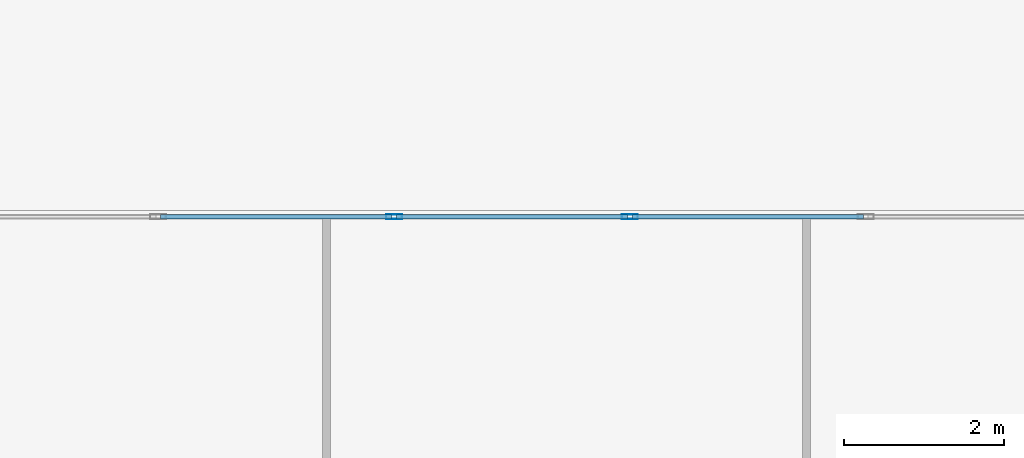
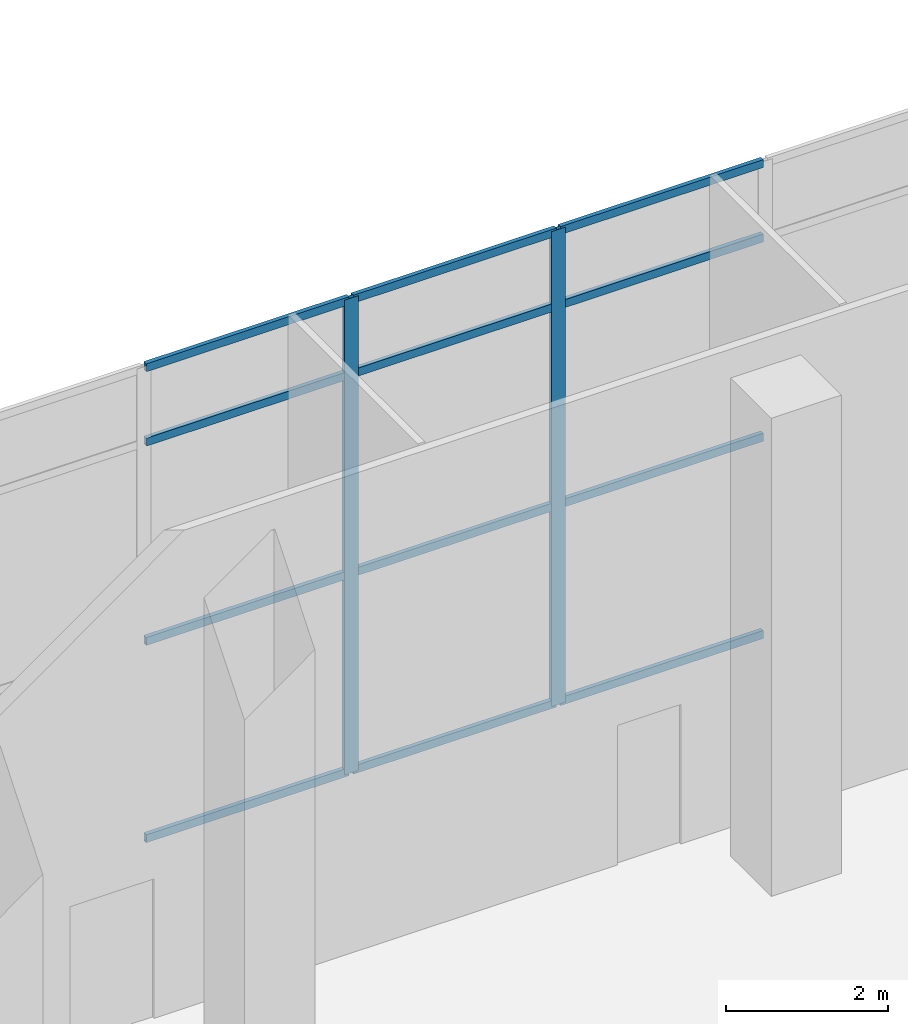
# One storey, part 28 of 52: 14 members, 1 element without a shape of its own.
"""IFC4 building model written with IfcOpenShell, lengths in metres."""

import ifcopenshell
import ifcopenshell.guid

model = None  # the IFC model being written
_history = None  # IfcOwnerHistory: only IFC2X3 demands one
_inside = {}  # id of a spatial element -> (the spatial element, [elements in it])
_under = {}  # id of a project, library or spatial element -> (it, [spatial elements below it])
_declared = {}  # id of a project -> (the project, [libraries it declares])
_typed = {}  # id of a type object -> (the type object, [elements of that type])
_made_of = {}  # id of a material, layer set ... -> (it, [elements and type objects made of it])


def new_model(schema):
    """Start an empty IFC model of exactly this schema.

    Asked for "IFC4X3", IfcOpenShell would pick the latest addendum, in which some entities
    have other attributes; the version numbers below select the first issue.
    IFC2X3 requires an IfcOwnerHistory on every rooted entity: one is made here for all.
    """
    global model, _history
    if schema == "IFC4X3":
        model = ifcopenshell.file(schema_version=(4, 3, 0, 0))
    else:
        model = ifcopenshell.file(schema=schema)
    _inside.clear()
    _under.clear()
    _declared.clear()
    _typed.clear()
    _made_of.clear()
    _history = None
    if model.schema == "IFC2X3":
        org = make("IfcOrganization", Name="unknown")
        user = make(
            "IfcPersonAndOrganization",
            ThePerson=make("IfcPerson", FamilyName="unknown"),
            TheOrganization=org,
        )
        app = make(
            "IfcApplication",
            ApplicationDeveloper=org,
            Version="unknown",
            ApplicationFullName="unknown",
            ApplicationIdentifier="unknown",
        )
        _history = make(
            "IfcOwnerHistory",
            OwningUser=user,
            OwningApplication=app,
            ChangeAction="ADDED",
            CreationDate=0,
        )
    return model


def make(cls, **values):
    """One entity of the class cls with the attributes given. An attribute that is None is left unset."""
    return model.create_entity(
        cls, **{name: value for name, value in values.items() if value is not None}
    )


def rooted(cls, **values):
    """An entity with a GlobalId (a new one), such as an element, a storey or a relation."""
    return make(cls, GlobalId=ifcopenshell.guid.new(), OwnerHistory=_history, **values)


def si_unit(unit_type, name, prefix=None):
    """IfcSIUnit, for example si_unit("LENGTHUNIT", "METRE", prefix="MILLI")."""
    return make("IfcSIUnit", UnitType=unit_type, Prefix=prefix, Name=name)


def assignment(units):
    """IfcUnitAssignment: the units of a project."""
    return None if units is None else make("IfcUnitAssignment", Units=units)


def point(xyz):
    """IfcCartesianPoint."""
    return None if xyz is None else make("IfcCartesianPoint", Coordinates=xyz)


def direction(xyz):
    """IfcDirection."""
    return None if xyz is None else make("IfcDirection", DirectionRatios=xyz)


def frame(location, z_axis=None, x_axis=None):
    """IfcAxis2Placement3D, a coordinate frame: its origin and axes. An axis left out is left unset."""
    return make(
        "IfcAxis2Placement3D",
        Location=point(location),
        Axis=direction(z_axis),
        RefDirection=direction(x_axis),
    )


def frame_2d(location, x_axis=None):
    """IfcAxis2Placement2D, a coordinate frame in the plane: its origin and x axis."""
    return make(
        "IfcAxis2Placement2D", Location=point(location), RefDirection=direction(x_axis)
    )


def origin():
    """The frame at (0, 0, 0) with its axes left unset."""
    return frame((0.0, 0.0, 0.0))


def origin_2d():
    """The frame at (0, 0) in the plane with its x axis left unset."""
    return frame_2d((0.0, 0.0))


def place(relative_to, where):
    """IfcLocalPlacement: puts the frame where relative to a parent placement (None: the world)."""
    return make(
        "IfcLocalPlacement", PlacementRelTo=relative_to, RelativePlacement=where
    )


def context(
    kind, dimensions, precision=None, world=None, true_north=None, identifier=None
):
    """IfcGeometricRepresentationContext, for example the 3D "Model" context."""
    return make(
        "IfcGeometricRepresentationContext",
        ContextIdentifier=identifier,
        ContextType=kind,
        CoordinateSpaceDimension=dimensions,
        Precision=precision,
        WorldCoordinateSystem=world,
        TrueNorth=true_north,
    )


def subcontext(parent, identifier, kind, view, scale=None):
    """IfcGeometricRepresentationSubContext, for example "Body" below "Model"."""
    return make(
        "IfcGeometricRepresentationSubContext",
        ContextIdentifier=identifier,
        ContextType=kind,
        ParentContext=parent,
        TargetScale=scale,
        TargetView=view,
    )


def project(units=None, contexts=None):
    """IfcProject with its units and contexts."""
    return rooted(
        "IfcProject",
        Name="project",
        RepresentationContexts=contexts,
        UnitsInContext=assignment(units),
    )


def spatial(cls, under=None, at=None, **own):
    """A site, building, storey or space (cls), placed at a placement, below another one or the project."""
    s = rooted(cls, ObjectPlacement=at, **own)
    if under is not None:
        _under.setdefault(under.id(), (under, []))[1].append(s)
    return s


def profile(cls, at=None, kind="AREA", **sizes):
    """A parametric profile (cls). Its sizes go by their IFC names, for example OverallWidth=200.0."""
    return make(cls, ProfileType=kind, Position=at, **sizes)


def hollow_rectangle(**sizes):
    """IfcRectangleHollowProfileDef."""
    return profile("IfcRectangleHollowProfileDef", **sizes)


def extrude(swept, where, along, depth):
    """IfcExtrudedAreaSolid: the profile swept, set in the frame where, extruded along a direction by depth."""
    return make(
        "IfcExtrudedAreaSolid",
        SweptArea=swept,
        Position=where,
        ExtrudedDirection=direction(along),
        Depth=depth,
    )


def shape(context_of_items, identifier, shape_type, items):
    """IfcShapeRepresentation: the items that make up one representation, for example the "Body"."""
    return make(
        "IfcShapeRepresentation",
        ContextOfItems=context_of_items,
        RepresentationIdentifier=identifier,
        RepresentationType=shape_type,
        Items=items,
    )


def source(mapping_origin, context_of_items, identifier, shape_type, items):
    """IfcRepresentationMap: a shape defined once, which mapped items show again and again."""
    return make(
        "IfcRepresentationMap",
        MappingOrigin=mapping_origin,
        MappedRepresentation=shape(context_of_items, identifier, shape_type, items),
    )


def transform(
    local_origin,
    x_axis=None,
    y_axis=None,
    z_axis=None,
    scale=None,
    scale2=None,
    scale3=None,
    uniform=True,
):
    """IfcCartesianTransformationOperator3D, or its non-uniform kind. x_axis, y_axis, z_axis: its Axis1, 2, 3."""
    if uniform:
        return make(
            "IfcCartesianTransformationOperator3D",
            Axis1=direction(x_axis),
            Axis2=direction(y_axis),
            LocalOrigin=point(local_origin),
            Scale=scale,
            Axis3=direction(z_axis),
        )
    return make(
        "IfcCartesianTransformationOperator3DnonUniform",
        Axis1=direction(x_axis),
        Axis2=direction(y_axis),
        LocalOrigin=point(local_origin),
        Scale=scale,
        Axis3=direction(z_axis),
        Scale2=scale2,
        Scale3=scale3,
    )


def mapped(mapping_source, mapping_target):
    """IfcMappedItem: shows the shape of a source again, moved by a transform."""
    return make(
        "IfcMappedItem", MappingSource=mapping_source, MappingTarget=mapping_target
    )


def material(Name=None, Category=None):
    """IfcMaterial."""
    return make("IfcMaterial", Name=Name, Category=Category)


def material_profile(
    of_material, cross_section, Name=None, Category=None, Priority=None
):
    """IfcMaterialProfile: a cross section and its material."""
    return make(
        "IfcMaterialProfile",
        Name=Name,
        Material=of_material,
        Profile=cross_section,
        Priority=Priority,
        Category=Category,
    )


def profile_set(profiles, Name=None, composite=None):
    """IfcMaterialProfileSet."""
    return make(
        "IfcMaterialProfileSet",
        Name=Name,
        MaterialProfiles=profiles,
        CompositeProfile=composite,
    )


def made_of(thing, what):
    """Note that an element or type object is made of a material, layer set ...; save() writes the relation."""
    if what is not None:
        _made_of.setdefault(what.id(), (what, []))[1].append(thing)
    return thing


def type_object(cls, material=None, **own):
    """A type object (cls), such as IfcWallType, which elements share."""
    return made_of(rooted(cls, **own), material)


def element(
    cls,
    number,
    at=None,
    inside=None,
    cuts=None,
    type_object=None,
    material=None,
    context=None,
    identifier="Body",
    shape_type=None,
    held_by="IfcProductDefinitionShape",
    body=None,
    shapes=None,
    **own,
):
    """One element of the class cls, such as IfcWall. Its Tag is "e" and its number.

    at: its placement. inside: the storey or other place that contains it. cuts: it is an
    opening in that element (IfcRelVoidsElement). A single representation is given by context,
    identifier, shape_type and body (its items); several are given by shapes. held_by: the class
    of the entity that holds the representations. save() writes the other relations.
    """
    e = rooted(cls, Tag="e%d" % number, ObjectPlacement=at, **own)
    if body is not None:
        shapes = [shape(context, identifier, shape_type, body)]
    if shapes is not None:
        e.Representation = make(held_by, Representations=shapes)
    if inside is not None:
        _inside.setdefault(inside.id(), (inside, []))[1].append(e)
    if cuts is not None:
        rooted(
            "IfcRelVoidsElement", RelatingBuildingElement=cuts, RelatedOpeningElement=e
        )
    if type_object is not None:
        _typed.setdefault(type_object.id(), (type_object, []))[1].append(e)
    return made_of(e, material)


def aggregate(whole, parts):
    """IfcRelAggregates: a whole, such as a stair, and the parts it consists of."""
    return rooted("IfcRelAggregates", RelatingObject=whole, RelatedObjects=parts)


def save(model, path):
    """Write the relations noted so far, then the file.

    IfcRelAggregates (storeys below a building ...), IfcRelContainedInSpatialStructure (elements
    in a storey), IfcRelDefinesByType, IfcRelAssociatesMaterial and IfcRelDeclares: one each for
    every whole, place, type object, material and project.
    """
    for whole, parts in _under.values():
        aggregate(whole, parts)
    for where, things in _inside.values():
        rooted(
            "IfcRelContainedInSpatialStructure",
            RelatedElements=things,
            RelatingStructure=where,
        )
    for kind, things in _typed.values():
        rooted("IfcRelDefinesByType", RelatedObjects=things, RelatingType=kind)
    for what, things in _made_of.values():
        rooted("IfcRelAssociatesMaterial", RelatedObjects=things, RelatingMaterial=what)
    for by, libraries in _declared.values():
        rooted("IfcRelDeclares", RelatingContext=by, RelatedDefinitions=libraries)
    model.write(path)


model = new_model("IFC4")

# Units and contexts
model_context = context("Model", 3, precision=1e-05, world=origin(), true_north=direction((0.0, 1.0)))
body_context = subcontext(model_context, "Body", "Model", "MODEL_VIEW")
ifc_project = project(units=[si_unit("LENGTHUNIT", "METRE"), si_unit("AREAUNIT", "SQUARE_METRE"), si_unit("VOLUMEUNIT", "CUBIC_METRE"), si_unit("PLANEANGLEUNIT", "RADIAN"), si_unit("MASSUNIT", "GRAM", prefix="KILO")], contexts=[model_context])

# Site, building, storey
site_placement = place(None, origin())
site = spatial("IfcSite", under=ifc_project, at=site_placement, CompositionType="ELEMENT")
building_placement = place(site_placement, origin())
building = spatial("IfcBuilding", under=site, at=building_placement, Name="Khomas Fold Tower", CompositionType="ELEMENT")
storey_placement = place(building_placement, origin())
storey = spatial("IfcBuildingStorey", under=building, at=storey_placement, Name="L00", CompositionType="ELEMENT", Elevation=0.0)

# Curtain wall, members
ifc_material_1 = material(Name="Aluminium framed double glazing", Category="aluminium")
curtain_wall_type = type_object("IfcCurtainWallType", Name="Shopfront glazing PD-CW", PredefinedType="NOTDEFINED", material=ifc_material_1)
curtain_wall_placement = place(storey_placement, origin())
curtain_wall = element("IfcCurtainWall", 1, at=curtain_wall_placement, inside=storey, type_object=curtain_wall_type, Name="Podium shopfront run", PredefinedType="NOTDEFINED")
ifc_material_2 = material(Name="Aluminium", Category="aluminium")
ifc_material_profile_1 = material_profile(ifc_material_2, hollow_rectangle(XDim=0.06005859375, YDim=0.199951171875, WallThickness=0.00390625, at=origin_2d()), Name="Shopfront glazing mullion PD-CW-M")
ifc_profile_set_1 = profile_set([ifc_material_profile_1], Name="Aluminium")
member_type_1 = type_object("IfcMemberType", Name="Shopfront glazing mullion PD-CW-M", PredefinedType="MULLION", material=ifc_profile_set_1)
shared_shape_1 = source(origin(), body_context, "Body", "SweptSolid", [
    extrude(hollow_rectangle(XDim=0.06005859375, YDim=0.199951171875, WallThickness=0.00390625, at=origin_2d()), origin(), (0.0, 0.0, 1.0), 7.14990234375),
])
member_1_placement = place(storey_placement, frame((63.792236328125, 53.919921875, 0.0), z_axis=(0.0, 0.0, 1.0), x_axis=(0.0, -1.0, 0.0)))
member_1 = element("IfcMember", 2, at=member_1_placement, type_object=member_type_1, Name="PD-CW mullion 3", PredefinedType="MULLION", context=body_context, shape_type="MappedRepresentation", body=[
    mapped(shared_shape_1, transform((0.0, 0.0, 0.0))),
])
member_2_placement = place(storey_placement, frame((60.84326171875, 53.919921875, 0.0), z_axis=(0.0, 0.0, 1.0), x_axis=(0.0, -1.0, 0.0)))
member_2 = element("IfcMember", 3, at=member_2_placement, type_object=member_type_1, Name="PD-CW mullion 4", PredefinedType="MULLION", context=body_context, shape_type="MappedRepresentation", body=[
    mapped(shared_shape_1, transform((0.0, 0.0, 0.0))),
])
ifc_material_3 = material(Name="Aluminium", Category="aluminium")
ifc_material_profile_2 = material_profile(ifc_material_3, hollow_rectangle(XDim=0.06005859375, YDim=0.1201171875, WallThickness=0.00390625, at=origin_2d()), Name="Shopfront glazing transom PD-CW-T")
ifc_profile_set_2 = profile_set([ifc_material_profile_2], Name="Aluminium")
member_type_2 = type_object("IfcMemberType", Name="Shopfront glazing transom PD-CW-T", PredefinedType="USERDEFINED", material=ifc_profile_set_2)
shared_shape_2 = source(origin(), body_context, "Body", "SweptSolid", [
    extrude(hollow_rectangle(XDim=0.06005859375, YDim=0.1201171875, WallThickness=0.00390625, at=origin_2d()), origin(), (0.0, 0.0, 1.0), 2.888916015625),
])
member_3_placement = place(storey_placement, frame((66.711181640625, 53.919921875, 0.030029296875), z_axis=(-1.0, 0.0, 0.0), x_axis=(0.0, -1.0, 0.0)))
member_3 = element("IfcMember", 4, at=member_3_placement, type_object=member_type_2, Name="PD-CW transom 2.1", ObjectType="TRANSOM", PredefinedType="USERDEFINED", context=body_context, shape_type="MappedRepresentation", body=[
    mapped(shared_shape_2, transform((0.0, 0.0, 0.0))),
])
member_4_placement = place(storey_placement, frame((66.711181640625, 53.919921875, 3.0), z_axis=(-1.0, 0.0, 0.0), x_axis=(0.0, -1.0, 0.0)))
member_4 = element("IfcMember", 5, at=member_4_placement, type_object=member_type_2, Name="PD-CW transom 2.2", ObjectType="TRANSOM", PredefinedType="USERDEFINED", context=body_context, shape_type="MappedRepresentation", body=[
    mapped(shared_shape_2, transform((0.0, 0.0, 0.0))),
])
member_5_placement = place(storey_placement, frame((66.711181640625, 53.919921875, 6.0), z_axis=(-1.0, 0.0, 0.0), x_axis=(0.0, -1.0, 0.0)))
member_5 = element("IfcMember", 6, at=member_5_placement, type_object=member_type_2, Name="PD-CW transom 2.3", ObjectType="TRANSOM", PredefinedType="USERDEFINED", context=body_context, shape_type="MappedRepresentation", body=[
    mapped(shared_shape_2, transform((0.0, 0.0, 0.0))),
])
member_6_placement = place(storey_placement, frame((66.711181640625, 53.919921875, 7.1201171875), z_axis=(-1.0, 0.0, 0.0), x_axis=(0.0, -1.0, 0.0)))
member_6 = element("IfcMember", 7, at=member_6_placement, type_object=member_type_2, Name="PD-CW transom 2.4", ObjectType="TRANSOM", PredefinedType="USERDEFINED", context=body_context, shape_type="MappedRepresentation", body=[
    mapped(shared_shape_2, transform((0.0, 0.0, 0.0))),
])
member_7_placement = place(storey_placement, frame((63.76220703125, 53.919921875, 0.030029296875), z_axis=(-1.0, 0.0, 0.0), x_axis=(0.0, -1.0, 0.0)))
member_7 = element("IfcMember", 8, at=member_7_placement, type_object=member_type_2, Name="PD-CW transom 3.1", ObjectType="TRANSOM", PredefinedType="USERDEFINED", context=body_context, shape_type="MappedRepresentation", body=[
    mapped(shared_shape_2, transform((0.0, 0.0, 0.0))),
])
member_8_placement = place(storey_placement, frame((63.76220703125, 53.919921875, 3.0), z_axis=(-1.0, 0.0, 0.0), x_axis=(0.0, -1.0, 0.0)))
member_8 = element("IfcMember", 9, at=member_8_placement, type_object=member_type_2, Name="PD-CW transom 3.2", ObjectType="TRANSOM", PredefinedType="USERDEFINED", context=body_context, shape_type="MappedRepresentation", body=[
    mapped(shared_shape_2, transform((0.0, 0.0, 0.0))),
])
member_9_placement = place(storey_placement, frame((63.76220703125, 53.919921875, 6.0), z_axis=(-1.0, 0.0, 0.0), x_axis=(0.0, -1.0, 0.0)))
member_9 = element("IfcMember", 10, at=member_9_placement, type_object=member_type_2, Name="PD-CW transom 3.3", ObjectType="TRANSOM", PredefinedType="USERDEFINED", context=body_context, shape_type="MappedRepresentation", body=[
    mapped(shared_shape_2, transform((0.0, 0.0, 0.0))),
])
member_10_placement = place(storey_placement, frame((63.76220703125, 53.919921875, 7.1201171875), z_axis=(-1.0, 0.0, 0.0), x_axis=(0.0, -1.0, 0.0)))
member_10 = element("IfcMember", 11, at=member_10_placement, type_object=member_type_2, Name="PD-CW transom 3.4", ObjectType="TRANSOM", PredefinedType="USERDEFINED", context=body_context, shape_type="MappedRepresentation", body=[
    mapped(shared_shape_2, transform((0.0, 0.0, 0.0))),
])
shared_shape_3 = source(origin(), body_context, "Body", "SweptSolid", [
    extrude(hollow_rectangle(XDim=0.06005859375, YDim=0.1201171875, WallThickness=0.00390625, at=origin_2d()), origin(), (0.0, 0.0, 1.0), 2.888671875),
])
member_11_placement = place(storey_placement, frame((60.813232421875, 53.919921875, 0.030029296875), z_axis=(-1.0, 0.0, 0.0), x_axis=(0.0, -1.0, 0.0)))
member_11 = element("IfcMember", 12, at=member_11_placement, type_object=member_type_2, Name="PD-CW transom 4.1", ObjectType="TRANSOM", PredefinedType="USERDEFINED", context=body_context, shape_type="MappedRepresentation", body=[
    mapped(shared_shape_3, transform((0.0, 0.0, 0.0))),
])
member_12_placement = place(storey_placement, frame((60.813232421875, 53.919921875, 3.0), z_axis=(-1.0, 0.0, 0.0), x_axis=(0.0, -1.0, 0.0)))
member_12 = element("IfcMember", 13, at=member_12_placement, type_object=member_type_2, Name="PD-CW transom 4.2", ObjectType="TRANSOM", PredefinedType="USERDEFINED", context=body_context, shape_type="MappedRepresentation", body=[
    mapped(shared_shape_3, transform((0.0, 0.0, 0.0))),
])
member_13_placement = place(storey_placement, frame((60.813232421875, 53.919921875, 6.0), z_axis=(-1.0, 0.0, 0.0), x_axis=(0.0, -1.0, 0.0)))
member_13 = element("IfcMember", 14, at=member_13_placement, type_object=member_type_2, Name="PD-CW transom 4.3", ObjectType="TRANSOM", PredefinedType="USERDEFINED", context=body_context, shape_type="MappedRepresentation", body=[
    mapped(shared_shape_3, transform((0.0, 0.0, 0.0))),
])
member_14_placement = place(storey_placement, frame((60.813232421875, 53.919921875, 7.1201171875), z_axis=(-1.0, 0.0, 0.0), x_axis=(0.0, -1.0, 0.0)))
member_14 = element("IfcMember", 15, at=member_14_placement, type_object=member_type_2, Name="PD-CW transom 4.4", ObjectType="TRANSOM", PredefinedType="USERDEFINED", context=body_context, shape_type="MappedRepresentation", body=[
    mapped(shared_shape_3, transform((0.0, 0.0, 0.0))),
])
aggregate(curtain_wall, [member_1, member_2, member_3, member_4, member_5, member_6, member_7, member_8, member_9, member_10, member_11, member_12, member_13, member_14])

save(model, "model.ifc")
